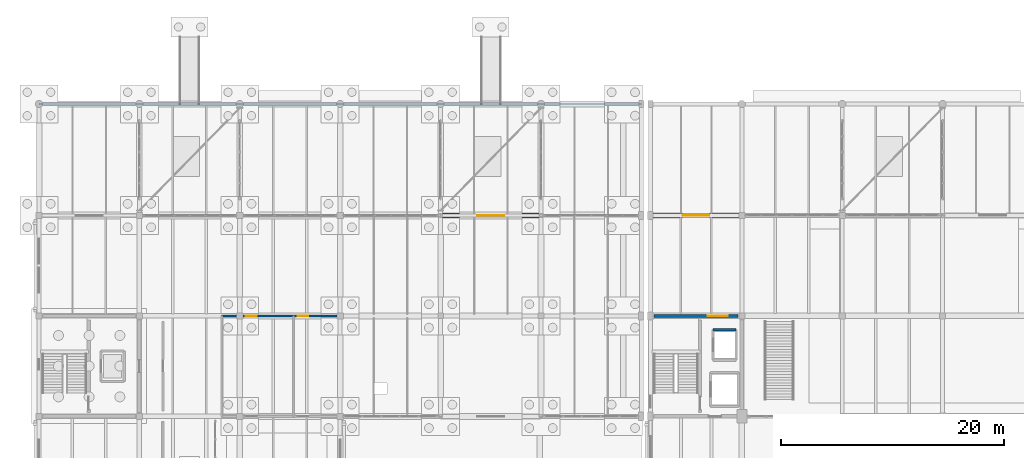
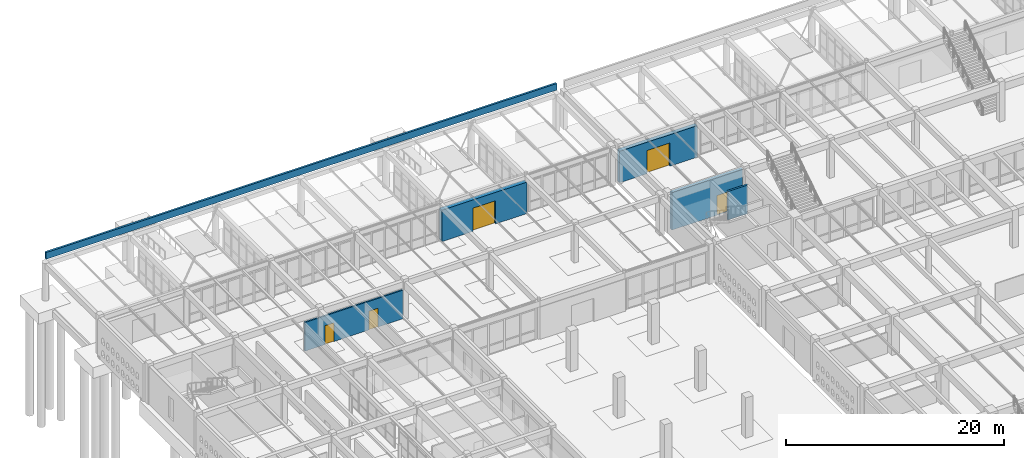
# One storey, part 165 of 186: 6 walls, 5 doors, 5 openings.
"""IFC4 building model written with IfcOpenShell, lengths in metres."""

from ifc_helpers import new_model, si_unit, direction, frame, frame_2d, origin, place, context, subcontext, project, spatial, rectangle, extrude, material, layer, layer_set, type_object, element, fill, save


model = new_model("IFC4")

# Units and contexts
model_context = context("Model", 3, precision=1e-05, world=origin(), true_north=direction((0.0, 1.0)))
body_context = subcontext(model_context, "Body", "Model", "MODEL_VIEW")
ifc_project = project(units=[si_unit("LENGTHUNIT", "METRE"), si_unit("AREAUNIT", "SQUARE_METRE"), si_unit("VOLUMEUNIT", "CUBIC_METRE"), si_unit("PLANEANGLEUNIT", "RADIAN"), si_unit("MASSUNIT", "GRAM", prefix="KILO")], contexts=[model_context])

# Site, building, storey
site_placement = place(None, origin())
site = spatial("IfcSite", under=ifc_project, at=site_placement, CompositionType="ELEMENT")
building_placement = place(site_placement, origin())
building = spatial("IfcBuilding", under=site, at=building_placement, Name="Ornek Quay Market", CompositionType="ELEMENT")
storey_placement = place(building_placement, origin())
storey = spatial("IfcBuildingStorey", under=building, at=storey_placement, Name="L00", CompositionType="ELEMENT", Elevation=0.0)

# Wall, opening, door
ifc_material_1 = material(Name="Concrete C40/50", Category="concrete")
ifc_layer_1 = layer(ifc_material_1, 0.300048828125, Name="Concrete C40/50", Category="concrete")
ifc_layer_set_1 = layer_set([ifc_layer_1], Name="Concrete C40/50")
wall_type_1 = type_object("IfcWallType", Name="WL-CORE-300", PredefinedType="SHEAR", material=ifc_layer_set_1)
wall_1_placement = place(storey_placement, frame((55.14990234375, 101.0, 0.0), z_axis=(0.0, 0.0, 1.0), x_axis=(1.0, 0.0, 0.0)))
wall_1 = element("IfcWall", 1, at=wall_1_placement, inside=storey, type_object=wall_type_1, Name="Interior wall W-CORE1-041", PredefinedType="SHEAR", context=body_context, shape_type="SweptSolid", body=[
    extrude(rectangle(XDim=7.5, YDim=0.300048828125, at=frame_2d((3.75, 0.0))), origin(), (0.0, 0.0, 1.0), 4.219970703125),
])
opening_1_placement = place(wall_1_placement, frame((4.800048828125, 0.0, 0.0)))
opening_1 = element("IfcOpeningElement", 2, at=opening_1_placement, cuts=wall_1, Name="Opening FD-01-019", PredefinedType="OPENING", context=body_context, shape_type="SweptSolid", body=[
    extrude(rectangle(XDim=1.800048828125, YDim=2.199951171875, at=frame_2d((0.89990234375, 1.10009765625))), frame((0.0, 0.159912109375, 0.0), z_axis=(0.0, -1.0, 0.0), x_axis=(1.0, 0.0, 0.0)), (0.0, 0.0, 1.0), 0.320068359375),
])
ifc_material_2 = material(Name="Insulated fire-rated painted steel", Category="steel")
door_type_1 = type_object("IfcDoorType", Name="DR-FIRE-DBL-1800x2200", OperationType="DOUBLE_DOOR_SINGLE_SWING", PredefinedType="DOOR", material=ifc_material_2)
door_1_placement = place(opening_1_placement, origin())
door_1 = element("IfcDoor", 3, at=door_1_placement, inside=storey, type_object=door_type_1, Name="Interior door FD-01-019", OperationType="DOUBLE_DOOR_SINGLE_SWING", OverallHeight=2.199951171875, OverallWidth=1.800048828125, PredefinedType="DOOR", context=body_context, shape_type="SweptSolid", body=[
    extrude(rectangle(XDim=1.800048828125, YDim=2.199951171875, at=frame_2d((0.89990234375, 1.10009765625))), frame((0.0, 0.02490234375, 0.0), z_axis=(0.0, -1.0, 0.0), x_axis=(1.0, 0.0, 0.0)), (0.0, 0.0, 1.0), 0.050048828125),
])
fill(opening_1, door_1)

ifc_material_3 = material(Name="Granite-faced insulated concrete C35/45", Category="masonry")
ifc_layer_2 = layer(ifc_material_3, 0.43994140625, Name="Granite-faced insulated concrete C35/45", Category="masonry")
ifc_layer_set_2 = layer_set([ifc_layer_2], Name="Granite-faced insulated concrete C35/45")
wall_type_2 = type_object("IfcWallType", Name="WL-EXT-PLINTH-440", PredefinedType="STANDARD", material=ifc_layer_set_2)
wall_2_placement = place(storey_placement, frame((36.0, 110.0, 0.0), z_axis=(0.0, 0.0, 1.0), x_axis=(1.0, 0.0, 0.0)))
wall_2 = element("IfcWall", 4, at=wall_2_placement, inside=storey, type_object=wall_type_2, Name="Exterior wall EW-086", PredefinedType="STANDARD", context=body_context, shape_type="SweptSolid", body=[
    extrude(rectangle(XDim=9.0, YDim=0.43994140625, at=frame_2d((4.5, 0.0))), origin(), (0.0, 0.0, 1.0), 3.52001953125),
])
opening_2_placement = place(wall_2_placement, frame((3.300048828125, 0.0, 0.0)))
opening_2 = element("IfcOpeningElement", 5, at=opening_2_placement, cuts=wall_2, Name="Opening ED-01-011", PredefinedType="OPENING", context=body_context, shape_type="SweptSolid", body=[
    extrude(rectangle(XDim=2.39990234375, YDim=2.60009765625, at=frame_2d((1.199951171875, 1.300048828125))), frame((0.0, 0.22998046875, 0.0), z_axis=(0.0, -1.0, 0.0), x_axis=(1.0, 0.0, 0.0)), (0.0, 0.0, 1.0), 0.4599609375),
])
ifc_material_4 = material(Name="Anodised bronze aluminium and triple glass", Category="aluminium")
door_type_2 = type_object("IfcDoorType", Name="DR-EXT-DBL-2400x2600", OperationType="DOUBLE_DOOR_SINGLE_SWING", PredefinedType="DOOR", material=ifc_material_4)
door_2_placement = place(opening_2_placement, origin())
door_2 = element("IfcDoor", 6, at=door_2_placement, inside=storey, type_object=door_type_2, Name="Exterior door ED-01-011", OperationType="DOUBLE_DOOR_SINGLE_SWING", OverallHeight=2.60009765625, OverallWidth=2.39990234375, PredefinedType="DOOR", context=body_context, shape_type="SweptSolid", body=[
    extrude(rectangle(XDim=2.39990234375, YDim=2.60009765625, at=frame_2d((1.199951171875, 1.300048828125))), frame((0.0, 0.02490234375, 0.0), z_axis=(0.0, -1.0, 0.0), x_axis=(1.0, 0.0, 0.0)), (0.0, 0.0, 1.0), 0.050048828125),
])
fill(opening_2, door_2)

wall_3_placement = place(storey_placement, frame((54.800048828125, 110.0, 0.0), z_axis=(0.0, 0.0, 1.0), x_axis=(1.0, 0.0, 0.0)))
wall_3 = element("IfcWall", 7, at=wall_3_placement, inside=storey, type_object=wall_type_2, Name="Exterior wall EW-094", PredefinedType="STANDARD", context=body_context, shape_type="SweptSolid", body=[
    extrude(rectangle(XDim=8.199951171875, YDim=0.43994140625, at=frame_2d((4.10009765625, 0.0))), origin(), (0.0, 0.0, 1.0), 3.52001953125),
])
opening_3_placement = place(wall_3_placement, frame((2.89990234375, 0.0, 0.0)))
opening_3 = element("IfcOpeningElement", 8, at=opening_3_placement, cuts=wall_3, Name="Opening ED-01-019", PredefinedType="OPENING", context=body_context, shape_type="SweptSolid", body=[
    extrude(rectangle(XDim=2.39990234375, YDim=2.60009765625, at=frame_2d((1.199951171875, 1.300048828125))), frame((0.0, 0.22998046875, 0.0), z_axis=(0.0, -1.0, 0.0), x_axis=(1.0, 0.0, 0.0)), (0.0, 0.0, 1.0), 0.4599609375),
])
door_3_placement = place(opening_3_placement, origin())
door_3 = element("IfcDoor", 9, at=door_3_placement, inside=storey, type_object=door_type_2, Name="Exterior door ED-01-019", OperationType="DOUBLE_DOOR_SINGLE_SWING", OverallHeight=2.60009765625, OverallWidth=2.39990234375, PredefinedType="DOOR", context=body_context, shape_type="SweptSolid", body=[
    extrude(rectangle(XDim=2.39990234375, YDim=2.60009765625, at=frame_2d((1.199951171875, 1.300048828125))), frame((0.0, 0.02490234375, 0.0), z_axis=(0.0, -1.0, 0.0), x_axis=(1.0, 0.0, 0.0)), (0.0, 0.0, 1.0), 0.050048828125),
])
fill(opening_3, door_3)

# Wall, openings, doors
ifc_material_5 = material(Name="Ceramic-tiled masonry partition", Category="masonry")
ifc_layer_3 = layer(ifc_material_5, 0.159912109375, Name="Ceramic-tiled masonry partition", Category="masonry")
ifc_layer_set_3 = layer_set([ifc_layer_3], Name="Ceramic-tiled masonry partition")
wall_type_3 = type_object("IfcWallType", Name="WL-KIT-160", PredefinedType="PARTITIONING", material=ifc_layer_set_3)
wall_4_placement = place(storey_placement, frame((16.39990234375, 101.0, 0.0), z_axis=(0.0, 0.0, 1.0), x_axis=(1.0, 0.0, 0.0)))
wall_4 = element("IfcWall", 10, at=wall_4_placement, inside=storey, type_object=wall_type_3, Name="Interior wall W-INT2-245", PredefinedType="PARTITIONING", context=body_context, shape_type="SweptSolid", body=[
    extrude(rectangle(XDim=10.400146484375, YDim=0.159912109375, at=frame_2d((5.2001953125, 0.0))), origin(), (0.0, 0.0, 1.0), 3.199951171875),
])
opening_4_placement = place(wall_4_placement, frame((2.14990234375, 0.0, 0.0)))
opening_4 = element("IfcOpeningElement", 11, at=opening_4_placement, cuts=wall_4, Name="Opening ID-04-109", PredefinedType="OPENING", context=body_context, shape_type="SweptSolid", body=[
    extrude(rectangle(XDim=0.949951171875, YDim=2.10009765625, at=frame_2d((0.47509765625, 1.050048828125))), frame((0.0, 0.08984375, 0.0), z_axis=(0.0, -1.0, 0.0), x_axis=(1.0, 0.0, 0.0)), (0.0, 0.0, 1.0), 0.179931640625),
])
opening_5_placement = place(wall_4_placement, frame((6.800048828125, 0.0, 0.0)))
opening_5 = element("IfcOpeningElement", 12, at=opening_5_placement, cuts=wall_4, Name="Opening ID-04-110", PredefinedType="OPENING", context=body_context, shape_type="SweptSolid", body=[
    extrude(rectangle(XDim=0.949951171875, YDim=2.10009765625, at=frame_2d((0.47509765625, 1.050048828125))), frame((0.0, 0.08984375, 0.0), z_axis=(0.0, -1.0, 0.0), x_axis=(1.0, 0.0, 0.0)), (0.0, 0.0, 1.0), 0.179931640625),
])
ifc_material_6 = material(Name="Moisture-resistant laminate door", Category="other")
door_type_3 = type_object("IfcDoorType", Name="DR-INT-WC-950x2100", OperationType="NOTDEFINED", PredefinedType="DOOR", material=ifc_material_6)
door_4_placement = place(opening_4_placement, origin())
door_4 = element("IfcDoor", 13, at=door_4_placement, inside=storey, type_object=door_type_3, Name="Interior door ID-04-109", OperationType="SINGLE_SWING_RIGHT", OverallHeight=2.10009765625, OverallWidth=0.949951171875, PredefinedType="DOOR", context=body_context, shape_type="SweptSolid", body=[
    extrude(rectangle(XDim=0.949951171875, YDim=2.10009765625, at=frame_2d((0.47509765625, 1.050048828125))), frame((0.0, 0.02490234375, 0.0), z_axis=(0.0, -1.0, 0.0), x_axis=(1.0, 0.0, 0.0)), (0.0, 0.0, 1.0), 0.050048828125),
])
fill(opening_4, door_4)
door_5_placement = place(opening_5_placement, origin())
door_5 = element("IfcDoor", 14, at=door_5_placement, inside=storey, type_object=door_type_3, Name="Interior door ID-04-110", OperationType="SINGLE_SWING_LEFT", OverallHeight=2.10009765625, OverallWidth=0.949951171875, PredefinedType="DOOR", context=body_context, shape_type="SweptSolid", body=[
    extrude(rectangle(XDim=0.949951171875, YDim=2.10009765625, at=frame_2d((0.47509765625, 1.050048828125))), frame((0.0, 0.02490234375, 0.0), z_axis=(0.0, -1.0, 0.0), x_axis=(1.0, 0.0, 0.0)), (0.0, 0.0, 1.0), 0.050048828125),
])
fill(opening_5, door_5)

# Walls
ifc_material_7 = material(Name="Precast concrete C40/50", Category="concrete")
ifc_layer_4 = layer(ifc_material_7, 0.2099609375, Name="Precast concrete C40/50", Category="concrete")
ifc_layer_set_4 = layer_set([ifc_layer_4], Name="Precast concrete C40/50")
wall_type_4 = type_object("IfcWallType", Name="WL-PAR-210", PredefinedType="PARAPET", material=ifc_layer_set_4)
wall_5_placement = place(storey_placement, frame((0.0, 120.0, 4.5), z_axis=(0.0, 0.0, 1.0), x_axis=(1.0, 0.0, 0.0)))
element("IfcWall", 15, at=wall_5_placement, inside=storey, type_object=wall_type_4, Name="Roof parapet PR-01", PredefinedType="PARAPET", context=body_context, shape_type="SweptSolid", body=[
    extrude(rectangle(XDim=54.0, YDim=0.2099609375, at=frame_2d((27.0, 0.0))), origin(), (0.0, 0.0, 1.0), 0.75),
])
ifc_material_8 = material(Name="Concrete C35/45", Category="concrete")
ifc_layer_5 = layer(ifc_material_8, 0.199951171875, Name="Concrete C35/45", Category="concrete")
ifc_layer_set_5 = layer_set([ifc_layer_5], Name="Concrete C35/45")
wall_type_5 = type_object("IfcWallType", Name="WL-SHAFT-200", PredefinedType="SOLIDWALL", material=ifc_layer_set_5)
wall_6_placement = place(storey_placement, frame((60.409912109375, 99.77001953125, 0.0), z_axis=(0.0, 0.0, 1.0), x_axis=(1.0, 0.0, 0.0)))
element("IfcWall", 16, at=wall_6_placement, inside=storey, type_object=wall_type_5, Name="Interior wall W-CORE3-048", PredefinedType="SOLIDWALL", context=body_context, shape_type="SweptSolid", body=[
    extrude(rectangle(XDim=2.080078125, YDim=0.199951171875, at=frame_2d((1.0400390625, 0.0))), origin(), (0.0, 0.0, 1.0), 3.199951171875),
])

save(model, "model.ifc")
